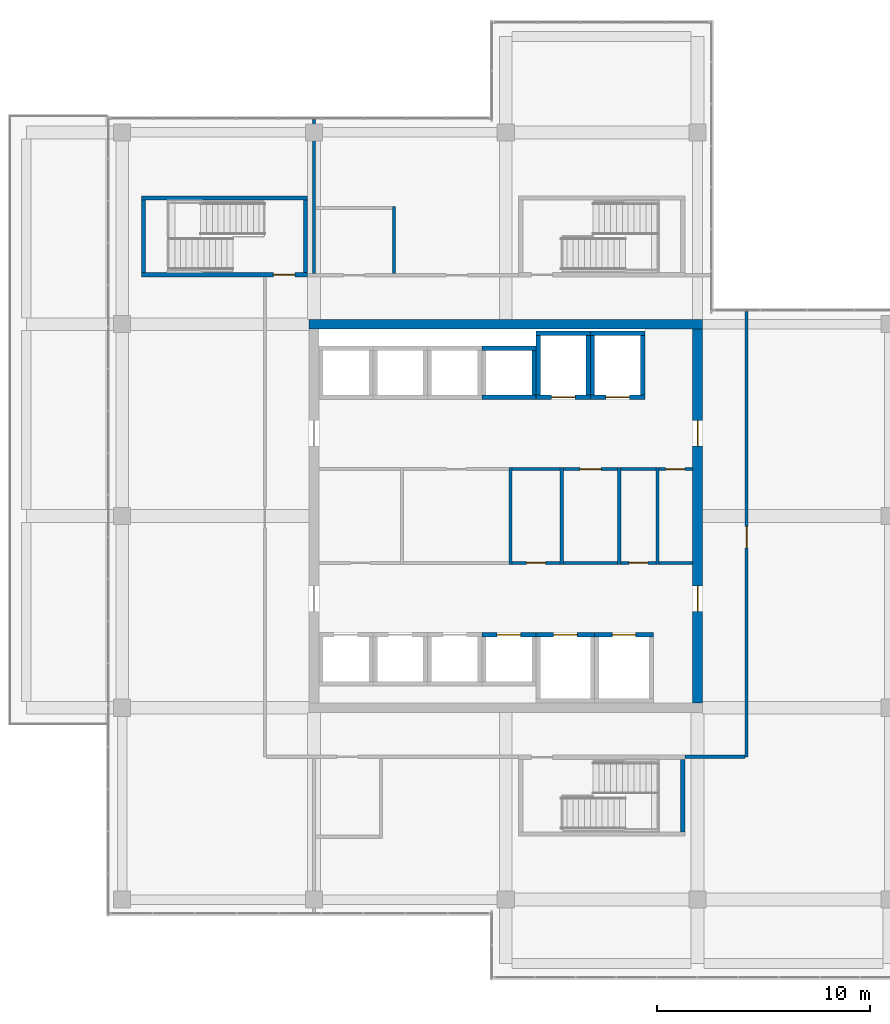
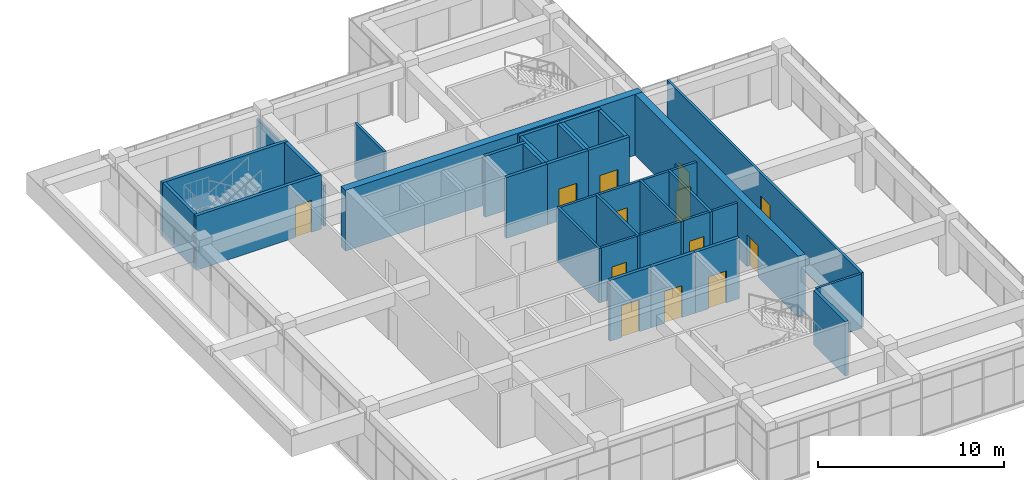
# One storey, part 48 of 52: 37 walls, 13 doors, 13 openings.
"""IFC4 building model written with IfcOpenShell, lengths in metres."""

from ifc_helpers import new_model, si_unit, direction, frame, frame_2d, origin, place, context, subcontext, project, spatial, rectangle, extrude, material, layer, layer_set, type_object, element, fill, save


model = new_model("IFC4")

# Units and contexts
model_context = context("Model", 3, precision=1e-05, world=origin(), true_north=direction((0.0, 1.0)))
body_context = subcontext(model_context, "Body", "Model", "MODEL_VIEW")
ifc_project = project(units=[si_unit("LENGTHUNIT", "METRE"), si_unit("AREAUNIT", "SQUARE_METRE"), si_unit("VOLUMEUNIT", "CUBIC_METRE"), si_unit("PLANEANGLEUNIT", "RADIAN"), si_unit("MASSUNIT", "GRAM", prefix="KILO")], contexts=[model_context])

# Site, building, storey
site_placement = place(None, origin())
site = spatial("IfcSite", under=ifc_project, at=site_placement, CompositionType="ELEMENT")
building_placement = place(site_placement, origin())
building = spatial("IfcBuilding", under=site, at=building_placement, Name="Tuart Plaza Theatre", CompositionType="ELEMENT")
storey_placement = place(building_placement, frame((0.0, 0.0, 25.5)))
storey = spatial("IfcBuildingStorey", under=building, at=storey_placement, Name="L06", CompositionType="ELEMENT", Elevation=25.5)

# Walls
ifc_material_1 = material(Name="Masonry block", Category="masonry")
ifc_layer_1 = layer(ifc_material_1, 0.14990234375)
ifc_layer_set_1 = layer_set([ifc_layer_1], Name="PARTITION BLK150 MASONRYB FRL -/120/120")
wall_type_1 = type_object("IfcWallType", Name="PARTITION BLK150 MASONRYB FRL -/120/120", PredefinedType="PARTITIONING", material=ifc_layer_set_1)
for number, where, z_axis, x_axis, name in (
    (1, (132.22509765625, 71.72509765625, 0.0), (0.0, 0.0, 1.0), (0.0, 1.0, 0.0), "P610"),
    (2, (134.625, 71.72509765625, 0.0), (0.0, 0.0, 1.0), (0.0, 1.0, 0.0), "P613"),
):
    element("IfcWall", number, at=place(storey_placement, frame(where, z_axis=z_axis, x_axis=x_axis)), inside=storey, type_object=wall_type_1, Name=name, PredefinedType="PARTITIONING", context=body_context, shape_type="SweptSolid", body=[
        extrude(rectangle(XDim=4.5498046875, YDim=0.14990234375, at=frame_2d((2.27490234375, 0.0))), origin(), (0.0, 0.0, 1.0), 3.580078125),
    ])

# Wall, opening, door
wall_1_placement = place(storey_placement, frame((132.300048828125, 71.800048828125, 0.0), z_axis=(0.0, 0.0, 1.0), x_axis=(1.0, 0.0, 0.0)))
wall_1 = element("IfcWall", 3, at=wall_1_placement, inside=storey, type_object=wall_type_1, Name="P614", PredefinedType="PARTITIONING", context=body_context, shape_type="SweptSolid", body=[
    extrude(rectangle(XDim=2.25, YDim=0.14990234375, at=frame_2d((1.125, 0.0))), origin(), (0.0, 0.0, 1.0), 3.580078125),
])
opening_1_placement = place(wall_1_placement, frame((0.675048828125, 0.0, 0.0)))
opening_1 = element("IfcOpeningElement", 4, at=opening_1_placement, cuts=wall_1, Name="Opening L06-020", PredefinedType="OPENING", context=body_context, shape_type="SweptSolid", body=[
    extrude(rectangle(XDim=0.89990234375, YDim=2.10009765625, at=frame_2d((0.449951171875, 1.050048828125))), frame((0.0, 0.0849609375, 0.0), z_axis=(0.0, -1.0, 0.0), x_axis=(1.0, 0.0, 0.0)), (0.0, 0.0, 1.0), 0.169921875),
])
ifc_material_2 = material(Name="Steel Grade 300", Category="steel")
door_type_1 = type_object("IfcDoorType", Name="DOOR 900x2100 steel single swing FRL -/120/30", OperationType="SINGLE_SWING_LEFT", PredefinedType="DOOR", material=ifc_material_2)
door_1_placement = place(opening_1_placement, origin())
door_1 = element("IfcDoor", 5, at=door_1_placement, inside=storey, type_object=door_type_1, Name="L06-020", OperationType="SINGLE_SWING_LEFT", OverallHeight=2.10009765625, OverallWidth=0.89990234375, PredefinedType="DOOR", context=body_context, shape_type="SweptSolid", body=[
    extrude(rectangle(XDim=0.89990234375, YDim=2.10009765625, at=frame_2d((0.449951171875, 1.050048828125))), frame((0.0, 0.02490234375, 0.0), z_axis=(0.0, -1.0, 0.0), x_axis=(1.0, 0.0, 0.0)), (0.0, 0.0, 1.0), 0.050048828125),
])
fill(opening_1, door_1)

# Walls
wall_2_placement = place(storey_placement, frame((132.300048828125, 76.199951171875, 0.0), z_axis=(0.0, 0.0, 1.0), x_axis=(1.0, 0.0, 0.0)))
element("IfcWall", 6, at=wall_2_placement, inside=storey, type_object=wall_type_1, Name="P615", PredefinedType="PARTITIONING", context=body_context, shape_type="SweptSolid", body=[
    extrude(rectangle(XDim=2.25, YDim=0.14990234375, at=frame_2d((1.125, 0.0))), origin(), (0.0, 0.0, 1.0), 3.580078125),
])
wall_3_placement = place(storey_placement, frame((137.324951171875, 71.72509765625, 0.0), z_axis=(0.0, 0.0, 1.0), x_axis=(0.0, 1.0, 0.0)))
element("IfcWall", 7, at=wall_3_placement, inside=storey, type_object=wall_type_1, Name="P616", PredefinedType="PARTITIONING", context=body_context, shape_type="SweptSolid", body=[
    extrude(rectangle(XDim=4.5498046875, YDim=0.14990234375, at=frame_2d((2.27490234375, 0.0))), origin(), (0.0, 0.0, 1.0), 3.580078125),
])
wall_4_placement = place(storey_placement, frame((134.699951171875, 71.800048828125, 0.0), z_axis=(0.0, 0.0, 1.0), x_axis=(1.0, 0.0, 0.0)))
element("IfcWall", 8, at=wall_4_placement, inside=storey, type_object=wall_type_1, Name="P617", PredefinedType="PARTITIONING", context=body_context, shape_type="SweptSolid", body=[
    extrude(rectangle(XDim=2.550048828125, YDim=0.14990234375, at=frame_2d((1.27490234375, 0.0))), origin(), (0.0, 0.0, 1.0), 3.580078125),
])

# Wall, opening, door
wall_5_placement = place(storey_placement, frame((134.699951171875, 76.199951171875, 0.0), z_axis=(0.0, 0.0, 1.0), x_axis=(1.0, 0.0, 0.0)))
wall_5 = element("IfcWall", 9, at=wall_5_placement, inside=storey, type_object=wall_type_1, Name="P618", PredefinedType="PARTITIONING", context=body_context, shape_type="SweptSolid", body=[
    extrude(rectangle(XDim=2.550048828125, YDim=0.14990234375, at=frame_2d((1.27490234375, 0.0))), origin(), (0.0, 0.0, 1.0), 3.580078125),
])
opening_2_placement = place(wall_5_placement, frame((0.77490234375, 0.0, 0.0)))
opening_2 = element("IfcOpeningElement", 10, at=opening_2_placement, cuts=wall_5, Name="Opening L06-021", PredefinedType="OPENING", context=body_context, shape_type="SweptSolid", body=[
    extrude(rectangle(XDim=1.0, YDim=2.10009765625, at=frame_2d((0.5, 1.050048828125))), frame((0.0, 0.0849609375, 0.0), z_axis=(0.0, -1.0, 0.0), x_axis=(1.0, 0.0, 0.0)), (0.0, 0.0, 1.0), 0.169921875),
])
ifc_material_3 = material(Name="Steel Grade 300", Category="steel")
door_type_2 = type_object("IfcDoorType", Name="DOOR 1000x2100 steel single swing FRL -/120/30", OperationType="SINGLE_SWING_LEFT", PredefinedType="DOOR", material=ifc_material_3)
door_2_placement = place(opening_2_placement, frame((1.0, 0.0, 0.0), z_axis=(0.0, 0.0, 1.0), x_axis=(-1.0, 0.0, 0.0)))
door_2 = element("IfcDoor", 11, at=door_2_placement, inside=storey, type_object=door_type_2, Name="L06-021", OperationType="SINGLE_SWING_LEFT", OverallHeight=2.10009765625, OverallWidth=1.0, PredefinedType="DOOR", context=body_context, shape_type="SweptSolid", body=[
    extrude(rectangle(XDim=1.0, YDim=2.10009765625, at=frame_2d((0.5, 1.050048828125))), frame((0.0, 0.02490234375, 0.0), z_axis=(0.0, -1.0, 0.0), x_axis=(1.0, 0.0, 0.0)), (0.0, 0.0, 1.0), 0.050048828125),
])
fill(opening_2, door_2)

# Wall
wall_6_placement = place(storey_placement, frame((139.125, 71.72509765625, 0.0), z_axis=(0.0, 0.0, 1.0), x_axis=(0.0, 1.0, 0.0)))
element("IfcWall", 12, at=wall_6_placement, inside=storey, type_object=wall_type_1, Name="P619", PredefinedType="PARTITIONING", context=body_context, shape_type="SweptSolid", body=[
    extrude(rectangle(XDim=4.5498046875, YDim=0.14990234375, at=frame_2d((2.27490234375, 0.0))), origin(), (0.0, 0.0, 1.0), 3.580078125),
])

# Wall, opening, door
wall_7_placement = place(storey_placement, frame((137.39990234375, 71.800048828125, 0.0), z_axis=(0.0, 0.0, 1.0), x_axis=(1.0, 0.0, 0.0)))
wall_7 = element("IfcWall", 13, at=wall_7_placement, inside=storey, type_object=wall_type_1, Name="P620", PredefinedType="PARTITIONING", context=body_context, shape_type="SweptSolid", body=[
    extrude(rectangle(XDim=1.650146484375, YDim=0.14990234375, at=frame_2d((0.8251953125, 0.0))), origin(), (0.0, 0.0, 1.0), 3.580078125),
])
opening_3_placement = place(wall_7_placement, frame((0.375, 0.0, 0.0)))
opening_3 = element("IfcOpeningElement", 14, at=opening_3_placement, cuts=wall_7, Name="Opening L06-022", PredefinedType="OPENING", context=body_context, shape_type="SweptSolid", body=[
    extrude(rectangle(XDim=0.89990234375, YDim=2.10009765625, at=frame_2d((0.449951171875, 1.050048828125))), frame((0.0, 0.0849609375, 0.0), z_axis=(0.0, -1.0, 0.0), x_axis=(1.0, 0.0, 0.0)), (0.0, 0.0, 1.0), 0.169921875),
])
door_3_placement = place(opening_3_placement, origin())
door_3 = element("IfcDoor", 15, at=door_3_placement, inside=storey, type_object=door_type_1, Name="L06-022", OperationType="SINGLE_SWING_LEFT", OverallHeight=2.10009765625, OverallWidth=0.89990234375, PredefinedType="DOOR", context=body_context, shape_type="SweptSolid", body=[
    extrude(rectangle(XDim=0.89990234375, YDim=2.10009765625, at=frame_2d((0.449951171875, 1.050048828125))), frame((0.0, 0.02490234375, 0.0), z_axis=(0.0, -1.0, 0.0), x_axis=(1.0, 0.0, 0.0)), (0.0, 0.0, 1.0), 0.050048828125),
])
fill(opening_3, door_3)

# Walls
wall_8_placement = place(storey_placement, frame((137.39990234375, 76.199951171875, 0.0), z_axis=(0.0, 0.0, 1.0), x_axis=(1.0, 0.0, 0.0)))
element("IfcWall", 16, at=wall_8_placement, inside=storey, type_object=wall_type_1, Name="P621", PredefinedType="PARTITIONING", context=body_context, shape_type="SweptSolid", body=[
    extrude(rectangle(XDim=1.650146484375, YDim=0.14990234375, at=frame_2d((0.8251953125, 0.0))), origin(), (0.0, 0.0, 1.0), 3.580078125),
])
wall_9_placement = place(storey_placement, frame((139.199951171875, 71.800048828125, 0.0), z_axis=(0.0, 0.0, 1.0), x_axis=(1.0, 0.0, 0.0)))
element("IfcWall", 17, at=wall_9_placement, inside=storey, type_object=wall_type_1, Name="P622", PredefinedType="PARTITIONING", context=body_context, shape_type="SweptSolid", body=[
    extrude(rectangle(XDim=1.574951171875, YDim=0.14990234375, at=frame_2d((0.78759765625, 0.0))), origin(), (0.0, 0.0, 1.0), 3.580078125),
])

# Wall, opening, door
wall_10_placement = place(storey_placement, frame((139.199951171875, 76.199951171875, 0.0), z_axis=(0.0, 0.0, 1.0), x_axis=(1.0, 0.0, 0.0)))
wall_10 = element("IfcWall", 18, at=wall_10_placement, inside=storey, type_object=wall_type_1, Name="P623", PredefinedType="PARTITIONING", context=body_context, shape_type="SweptSolid", body=[
    extrude(rectangle(XDim=1.574951171875, YDim=0.14990234375, at=frame_2d((0.78759765625, 0.0))), origin(), (0.0, 0.0, 1.0), 3.580078125),
])
opening_4_placement = place(wall_10_placement, frame((0.300048828125, 0.0, 0.0)))
opening_4 = element("IfcOpeningElement", 19, at=opening_4_placement, cuts=wall_10, Name="Opening L06-023", PredefinedType="OPENING", context=body_context, shape_type="SweptSolid", body=[
    extrude(rectangle(XDim=0.89990234375, YDim=2.10009765625, at=frame_2d((0.449951171875, 1.050048828125))), frame((0.0, 0.0849609375, 0.0), z_axis=(0.0, -1.0, 0.0), x_axis=(1.0, 0.0, 0.0)), (0.0, 0.0, 1.0), 0.169921875),
])
door_4_placement = place(opening_4_placement, frame((0.89990234375, 0.0, 0.0), z_axis=(0.0, 0.0, 1.0), x_axis=(-1.0, 0.0, 0.0)))
door_4 = element("IfcDoor", 20, at=door_4_placement, inside=storey, type_object=door_type_1, Name="L06-023", OperationType="SINGLE_SWING_LEFT", OverallHeight=2.10009765625, OverallWidth=0.89990234375, PredefinedType="DOOR", context=body_context, shape_type="SweptSolid", body=[
    extrude(rectangle(XDim=0.89990234375, YDim=2.10009765625, at=frame_2d((0.449951171875, 1.050048828125))), frame((0.0, 0.02490234375, 0.0), z_axis=(0.0, -1.0, 0.0), x_axis=(1.0, 0.0, 0.0)), (0.0, 0.0, 1.0), 0.050048828125),
])
fill(opening_4, door_4)

# Wall
ifc_material_4 = material(Name="Masonry block", Category="masonry")
ifc_layer_2 = layer(ifc_material_4, 0.14990234375)
ifc_layer_set_2 = layer_set([ifc_layer_2], Name="PARTITION BLK150 MASONRYB FRL 120/-/-")
wall_type_2 = type_object("IfcWallType", Name="PARTITION BLK150 MASONRYB FRL 120/-/-", PredefinedType="PARTITIONING", material=ifc_layer_set_2)
wall_11_placement = place(storey_placement, frame((143.22509765625, 62.699951171875, 0.0), z_axis=(0.0, 0.0, 1.0), x_axis=(-1.0, 0.0, 0.0)))
element("IfcWall", 21, at=wall_11_placement, inside=storey, type_object=wall_type_2, Name="P626", PredefinedType="PARTITIONING", context=body_context, shape_type="SweptSolid", body=[
    extrude(rectangle(XDim=2.8251953125, YDim=0.14990234375, at=frame_2d((1.41259765625, 0.0))), origin(), (0.0, 0.0, 1.0), 3.580078125),
])

# Wall, opening, door
wall_12_placement = place(storey_placement, frame((143.300048828125, 83.60009765625, 0.0), z_axis=(0.0, 0.0, 1.0), x_axis=(0.0, -1.0, 0.0)))
wall_12 = element("IfcWall", 22, at=wall_12_placement, inside=storey, type_object=wall_type_2, Name="P627", PredefinedType="PARTITIONING", context=body_context, shape_type="SweptSolid", body=[
    extrude(rectangle(XDim=20.900146484375, YDim=0.14990234375, at=frame_2d((10.4501953125, 0.0))), origin(), (0.0, 0.0, 1.0), 3.580078125),
])
opening_5_placement = place(wall_12_placement, frame((10.10009765625, 0.0, 0.0)))
opening_5 = element("IfcOpeningElement", 23, at=opening_5_placement, cuts=wall_12, Name="Opening L06-026", PredefinedType="OPENING", context=body_context, shape_type="SweptSolid", body=[
    extrude(rectangle(XDim=1.0, YDim=2.10009765625, at=frame_2d((0.5, 1.050048828125))), frame((0.0, 0.0849609375, 0.0), z_axis=(0.0, -1.0, 0.0), x_axis=(1.0, 0.0, 0.0)), (0.0, 0.0, 1.0), 0.169921875),
])
ifc_material_5 = material(Name="Timber", Category="wood")
door_type_3 = type_object("IfcDoorType", Name="DOOR 1000x2100 timber single swing FRL -/60/30", OperationType="SINGLE_SWING_LEFT", PredefinedType="DOOR", material=ifc_material_5)
door_5_placement = place(opening_5_placement, origin())
door_5 = element("IfcDoor", 24, at=door_5_placement, inside=storey, type_object=door_type_3, Name="L06-026", OperationType="SINGLE_SWING_LEFT", OverallHeight=2.10009765625, OverallWidth=1.0, PredefinedType="DOOR", context=body_context, shape_type="SweptSolid", body=[
    extrude(rectangle(XDim=1.0, YDim=2.10009765625, at=frame_2d((0.5, 1.050048828125))), frame((0.0, 0.02490234375, 0.0), z_axis=(0.0, -1.0, 0.0), x_axis=(1.0, 0.0, 0.0)), (0.0, 0.0, 1.0), 0.050048828125),
])
fill(opening_5, door_5)

# Walls
wall_13_placement = place(storey_placement, frame((123.0, 85.3740234375, 0.0), z_axis=(0.0, 0.0, 1.0), x_axis=(0.0, 1.0, 0.0)))
element("IfcWall", 25, at=wall_13_placement, inside=storey, type_object=wall_type_2, Name="P631", PredefinedType="PARTITIONING", context=body_context, shape_type="SweptSolid", body=[
    extrude(rectangle(XDim=7.22607421875, YDim=0.14990234375, at=frame_2d((3.613037109375, 0.0))), origin(), (0.0, 0.0, 1.0), 2.679931640625),
])
wall_14_placement = place(storey_placement, frame((126.75, 85.375, 0.0), z_axis=(0.0, 0.0, 1.0), x_axis=(0.0, 1.0, 0.0)))
element("IfcWall", 26, at=wall_14_placement, inside=storey, type_object=wall_type_2, Name="P635", PredefinedType="PARTITIONING", context=body_context, shape_type="SweptSolid", body=[
    extrude(rectangle(XDim=3.14990234375, YDim=0.14990234375, at=frame_2d((1.574951171875, 0.0))), origin(), (0.0, 0.0, 1.0), 3.580078125),
])

# Wall, opening, door
ifc_material_6 = material(Name="Concrete N40 (40 MPa)", Category="concrete")
ifc_layer_3 = layer(ifc_material_6, 0.199951171875)
ifc_layer_set_3 = layer_set([ifc_layer_3], Name="SHEAR WALL RC200 FRL 120/120/120")
wall_type_3 = type_object("IfcWallType", Name="SHEAR WALL RC200 FRL 120/120/120", PredefinedType="SHEAR", material=ifc_layer_set_3)
wall_15_placement = place(storey_placement, frame((133.425048828125, 68.425048828125, 0.0), z_axis=(0.0, 0.0, 1.0), x_axis=(-1.0, 0.0, 0.0)))
wall_15 = element("IfcWall", 27, at=wall_15_placement, inside=storey, type_object=wall_type_3, Name="W708", PredefinedType="SHEAR", context=body_context, shape_type="SweptSolid", body=[
    extrude(rectangle(XDim=2.550048828125, YDim=0.199951171875, at=frame_2d((1.27490234375, 0.0))), origin(), (0.0, 0.0, 1.0), 4.0),
])
opening_6_placement = place(wall_15_placement, frame((0.72509765625, 0.0, 0.0)))
opening_6 = element("IfcOpeningElement", 28, at=opening_6_placement, cuts=wall_15, Name="Opening L06-006", PredefinedType="OPENING", context=body_context, shape_type="SweptSolid", body=[
    extrude(rectangle(XDim=1.10009765625, YDim=2.10009765625, at=frame_2d((0.550048828125, 1.050048828125))), frame((0.0, 0.10986328125, 0.0), z_axis=(0.0, -1.0, 0.0), x_axis=(1.0, 0.0, 0.0)), (0.0, 0.0, 1.0), 0.219970703125),
])
ifc_material_7 = material(Name="Steel Grade 300", Category="steel")
door_type_4 = type_object("IfcDoorType", Name="LANDING DOOR 1100x2100 steel sliding FRL -/120/30", OperationType="SLIDING_TO_LEFT", PredefinedType="DOOR", material=ifc_material_7)
door_6_placement = place(opening_6_placement, origin())
door_6 = element("IfcDoor", 29, at=door_6_placement, inside=storey, type_object=door_type_4, Name="L06-006", OperationType="SLIDING_TO_LEFT", OverallHeight=2.10009765625, OverallWidth=1.10009765625, PredefinedType="DOOR", context=body_context, shape_type="SweptSolid", body=[
    extrude(rectangle(XDim=1.10009765625, YDim=2.10009765625, at=frame_2d((0.550048828125, 1.050048828125))), frame((0.0, 0.02490234375, 0.0), z_axis=(0.0, -1.0, 0.0), x_axis=(1.0, 0.0, 0.0)), (0.0, 0.0, 1.0), 0.050048828125),
])
fill(opening_6, door_6)

# Walls
wall_16_placement = place(storey_placement, frame((130.875, 79.574951171875, 0.0), z_axis=(0.0, 0.0, 1.0), x_axis=(1.0, 0.0, 0.0)))
element("IfcWall", 30, at=wall_16_placement, inside=storey, type_object=wall_type_3, Name="W966", PredefinedType="SHEAR", context=body_context, shape_type="SweptSolid", body=[
    extrude(rectangle(XDim=2.550048828125, YDim=0.199951171875, at=frame_2d((1.27490234375, 0.0))), origin(), (0.0, 0.0, 1.0), 4.0),
])
wall_17_placement = place(storey_placement, frame((133.324951171875, 79.675048828125, 0.0), z_axis=(0.0, 0.0, 1.0), x_axis=(0.0, 1.0, 0.0)))
element("IfcWall", 31, at=wall_17_placement, inside=storey, type_object=wall_type_3, Name="W967", PredefinedType="SHEAR", context=body_context, shape_type="SweptSolid", body=[
    extrude(rectangle(XDim=2.099853515625, YDim=0.199951171875, at=frame_2d((1.0498046875, 0.0))), origin(), (0.0, 0.0, 1.0), 4.0),
])
wall_18_placement = place(storey_placement, frame((133.425048828125, 81.875, 0.0), z_axis=(0.0, 0.0, 1.0), x_axis=(-1.0, 0.0, 0.0)))
element("IfcWall", 32, at=wall_18_placement, inside=storey, type_object=wall_type_3, Name="W968", PredefinedType="SHEAR", context=body_context, shape_type="SweptSolid", body=[
    extrude(rectangle(XDim=2.550048828125, YDim=0.199951171875, at=frame_2d((1.27490234375, 0.0))), origin(), (0.0, 0.0, 1.0), 4.0),
])

# Wall, opening, door
wall_19_placement = place(storey_placement, frame((136.175048828125, 68.425048828125, 0.0), z_axis=(0.0, 0.0, 1.0), x_axis=(-1.0, 0.0, 0.0)))
wall_19 = element("IfcWall", 33, at=wall_19_placement, inside=storey, type_object=wall_type_3, Name="W1040", PredefinedType="SHEAR", context=body_context, shape_type="SweptSolid", body=[
    extrude(rectangle(XDim=2.75, YDim=0.199951171875, at=frame_2d((1.375, 0.0))), origin(), (0.0, 0.0, 1.0), 4.0),
])
opening_7_placement = place(wall_19_placement, frame((0.824951171875, 0.0, 0.0)))
opening_7 = element("IfcOpeningElement", 34, at=opening_7_placement, cuts=wall_19, Name="Opening L06-007", PredefinedType="OPENING", context=body_context, shape_type="SweptSolid", body=[
    extrude(rectangle(XDim=1.10009765625, YDim=2.10009765625, at=frame_2d((0.550048828125, 1.050048828125))), frame((0.0, 0.10986328125, 0.0), z_axis=(0.0, -1.0, 0.0), x_axis=(1.0, 0.0, 0.0)), (0.0, 0.0, 1.0), 0.219970703125),
])
door_7_placement = place(opening_7_placement, origin())
door_7 = element("IfcDoor", 35, at=door_7_placement, inside=storey, type_object=door_type_4, Name="L06-007", OperationType="SLIDING_TO_LEFT", OverallHeight=2.10009765625, OverallWidth=1.10009765625, PredefinedType="DOOR", context=body_context, shape_type="SweptSolid", body=[
    extrude(rectangle(XDim=1.10009765625, YDim=2.10009765625, at=frame_2d((0.550048828125, 1.050048828125))), frame((0.0, 0.02490234375, 0.0), z_axis=(0.0, -1.0, 0.0), x_axis=(1.0, 0.0, 0.0)), (0.0, 0.0, 1.0), 0.050048828125),
])
fill(opening_7, door_7)

wall_20_placement = place(storey_placement, frame((138.925048828125, 68.425048828125, 0.0), z_axis=(0.0, 0.0, 1.0), x_axis=(-1.0, 0.0, 0.0)))
wall_20 = element("IfcWall", 36, at=wall_20_placement, inside=storey, type_object=wall_type_3, Name="W1116", PredefinedType="SHEAR", context=body_context, shape_type="SweptSolid", body=[
    extrude(rectangle(XDim=2.75, YDim=0.199951171875, at=frame_2d((1.375, 0.0))), origin(), (0.0, 0.0, 1.0), 4.0),
])
opening_8_placement = place(wall_20_placement, frame((0.824951171875, 0.0, 0.0)))
opening_8 = element("IfcOpeningElement", 37, at=opening_8_placement, cuts=wall_20, Name="Opening L06-008", PredefinedType="OPENING", context=body_context, shape_type="SweptSolid", body=[
    extrude(rectangle(XDim=1.10009765625, YDim=2.10009765625, at=frame_2d((0.550048828125, 1.050048828125))), frame((0.0, 0.10986328125, 0.0), z_axis=(0.0, -1.0, 0.0), x_axis=(1.0, 0.0, 0.0)), (0.0, 0.0, 1.0), 0.219970703125),
])
door_8_placement = place(opening_8_placement, origin())
door_8 = element("IfcDoor", 38, at=door_8_placement, inside=storey, type_object=door_type_4, Name="L06-008", OperationType="SLIDING_TO_LEFT", OverallHeight=2.10009765625, OverallWidth=1.10009765625, PredefinedType="DOOR", context=body_context, shape_type="SweptSolid", body=[
    extrude(rectangle(XDim=1.10009765625, YDim=2.10009765625, at=frame_2d((0.550048828125, 1.050048828125))), frame((0.0, 0.02490234375, 0.0), z_axis=(0.0, -1.0, 0.0), x_axis=(1.0, 0.0, 0.0)), (0.0, 0.0, 1.0), 0.050048828125),
])
fill(opening_8, door_8)

wall_21_placement = place(storey_placement, frame((133.425048828125, 79.574951171875, 0.0), z_axis=(0.0, 0.0, 1.0), x_axis=(1.0, 0.0, 0.0)))
wall_21 = element("IfcWall", 39, at=wall_21_placement, inside=storey, type_object=wall_type_3, Name="W1190", PredefinedType="SHEAR", context=body_context, shape_type="SweptSolid", body=[
    extrude(rectangle(XDim=2.550048828125, YDim=0.199951171875, at=frame_2d((1.27490234375, 0.0))), origin(), (0.0, 0.0, 1.0), 4.0),
])
opening_9_placement = place(wall_21_placement, frame((0.72509765625, 0.0, 0.0)))
opening_9 = element("IfcOpeningElement", 40, at=opening_9_placement, cuts=wall_21, Name="Opening L06-009", PredefinedType="OPENING", context=body_context, shape_type="SweptSolid", body=[
    extrude(rectangle(XDim=1.10009765625, YDim=2.10009765625, at=frame_2d((0.550048828125, 1.050048828125))), frame((0.0, 0.10986328125, 0.0), z_axis=(0.0, -1.0, 0.0), x_axis=(1.0, 0.0, 0.0)), (0.0, 0.0, 1.0), 0.219970703125),
])
door_9_placement = place(opening_9_placement, origin())
door_9 = element("IfcDoor", 41, at=door_9_placement, inside=storey, type_object=door_type_4, Name="L06-009", OperationType="SLIDING_TO_LEFT", OverallHeight=2.10009765625, OverallWidth=1.10009765625, PredefinedType="DOOR", context=body_context, shape_type="SweptSolid", body=[
    extrude(rectangle(XDim=1.10009765625, YDim=2.10009765625, at=frame_2d((0.550048828125, 1.050048828125))), frame((0.0, 0.02490234375, 0.0), z_axis=(0.0, -1.0, 0.0), x_axis=(1.0, 0.0, 0.0)), (0.0, 0.0, 1.0), 0.050048828125),
])
fill(opening_9, door_9)

# Walls
wall_22_placement = place(storey_placement, frame((135.875, 79.675048828125, 0.0), z_axis=(0.0, 0.0, 1.0), x_axis=(0.0, 1.0, 0.0)))
element("IfcWall", 42, at=wall_22_placement, inside=storey, type_object=wall_type_3, Name="W1191", PredefinedType="SHEAR", context=body_context, shape_type="SweptSolid", body=[
    extrude(rectangle(XDim=2.800048828125, YDim=0.199951171875, at=frame_2d((1.39990234375, 0.0))), origin(), (0.0, 0.0, 1.0), 4.0),
])
wall_23_placement = place(storey_placement, frame((135.97509765625, 82.574951171875, 0.0), z_axis=(0.0, 0.0, 1.0), x_axis=(-1.0, 0.0, 0.0)))
element("IfcWall", 43, at=wall_23_placement, inside=storey, type_object=wall_type_3, Name="W1192", PredefinedType="SHEAR", context=body_context, shape_type="SweptSolid", body=[
    extrude(rectangle(XDim=2.550048828125, YDim=0.199951171875, at=frame_2d((1.27490234375, 0.0))), origin(), (0.0, 0.0, 1.0), 4.0),
])
wall_24_placement = place(storey_placement, frame((133.52490234375, 82.47509765625, 0.0), z_axis=(0.0, 0.0, 1.0), x_axis=(0.0, -1.0, 0.0)))
element("IfcWall", 44, at=wall_24_placement, inside=storey, type_object=wall_type_3, Name="W1193", PredefinedType="SHEAR", context=body_context, shape_type="SweptSolid", body=[
    extrude(rectangle(XDim=2.800048828125, YDim=0.199951171875, at=frame_2d((1.39990234375, 0.0))), origin(), (0.0, 0.0, 1.0), 4.0),
])

# Wall, opening, door
wall_25_placement = place(storey_placement, frame((135.97509765625, 79.574951171875, 0.0), z_axis=(0.0, 0.0, 1.0), x_axis=(1.0, 0.0, 0.0)))
wall_25 = element("IfcWall", 45, at=wall_25_placement, inside=storey, type_object=wall_type_3, Name="W1266", PredefinedType="SHEAR", context=body_context, shape_type="SweptSolid", body=[
    extrude(rectangle(XDim=2.5498046875, YDim=0.199951171875, at=frame_2d((1.27490234375, 0.0))), origin(), (0.0, 0.0, 1.0), 4.0),
])
opening_10_placement = place(wall_25_placement, frame((0.72509765625, 0.0, 0.0)))
opening_10 = element("IfcOpeningElement", 46, at=opening_10_placement, cuts=wall_25, Name="Opening L06-010", PredefinedType="OPENING", context=body_context, shape_type="SweptSolid", body=[
    extrude(rectangle(XDim=1.10009765625, YDim=2.10009765625, at=frame_2d((0.550048828125, 1.050048828125))), frame((0.0, 0.10986328125, 0.0), z_axis=(0.0, -1.0, 0.0), x_axis=(1.0, 0.0, 0.0)), (0.0, 0.0, 1.0), 0.219970703125),
])
door_10_placement = place(opening_10_placement, origin())
door_10 = element("IfcDoor", 47, at=door_10_placement, inside=storey, type_object=door_type_4, Name="L06-010", OperationType="SLIDING_TO_LEFT", OverallHeight=2.10009765625, OverallWidth=1.10009765625, PredefinedType="DOOR", context=body_context, shape_type="SweptSolid", body=[
    extrude(rectangle(XDim=1.10009765625, YDim=2.10009765625, at=frame_2d((0.550048828125, 1.050048828125))), frame((0.0, 0.02490234375, 0.0), z_axis=(0.0, -1.0, 0.0), x_axis=(1.0, 0.0, 0.0)), (0.0, 0.0, 1.0), 0.050048828125),
])
fill(opening_10, door_10)

# Walls
wall_26_placement = place(storey_placement, frame((138.425048828125, 79.675048828125, 0.0), z_axis=(0.0, 0.0, 1.0), x_axis=(0.0, 1.0, 0.0)))
element("IfcWall", 48, at=wall_26_placement, inside=storey, type_object=wall_type_3, Name="W1267", PredefinedType="SHEAR", context=body_context, shape_type="SweptSolid", body=[
    extrude(rectangle(XDim=2.800048828125, YDim=0.199951171875, at=frame_2d((1.39990234375, 0.0))), origin(), (0.0, 0.0, 1.0), 4.0),
])
wall_27_placement = place(storey_placement, frame((138.52490234375, 82.574951171875, 0.0), z_axis=(0.0, 0.0, 1.0), x_axis=(-1.0, 0.0, 0.0)))
element("IfcWall", 49, at=wall_27_placement, inside=storey, type_object=wall_type_3, Name="W1268", PredefinedType="SHEAR", context=body_context, shape_type="SweptSolid", body=[
    extrude(rectangle(XDim=2.5498046875, YDim=0.199951171875, at=frame_2d((1.27490234375, 0.0))), origin(), (0.0, 0.0, 1.0), 4.0),
])
wall_28_placement = place(storey_placement, frame((136.074951171875, 82.47509765625, 0.0), z_axis=(0.0, 0.0, 1.0), x_axis=(0.0, -1.0, 0.0)))
element("IfcWall", 50, at=wall_28_placement, inside=storey, type_object=wall_type_3, Name="W1269", PredefinedType="SHEAR", context=body_context, shape_type="SweptSolid", body=[
    extrude(rectangle(XDim=2.800048828125, YDim=0.199951171875, at=frame_2d((1.39990234375, 0.0))), origin(), (0.0, 0.0, 1.0), 4.0),
])
wall_29_placement = place(storey_placement, frame((140.300048828125, 59.175048828125, 0.0), z_axis=(0.0, 0.0, 1.0), x_axis=(0.0, 1.0, 0.0)))
element("IfcWall", 51, at=wall_29_placement, inside=storey, type_object=wall_type_3, Name="P401", PredefinedType="SHEAR", context=body_context, shape_type="SweptSolid", body=[
    extrude(rectangle(XDim=3.39990234375, YDim=0.199951171875, at=frame_2d((1.699951171875, 0.0))), origin(), (0.0, 0.0, 1.0), 3.580078125),
])

# Wall, opening, door
wall_30_placement = place(storey_placement, frame((114.89990234375, 85.324951171875, 0.0), z_axis=(0.0, 0.0, 1.0), x_axis=(1.0, 0.0, 0.0)))
wall_30 = element("IfcWall", 52, at=wall_30_placement, inside=storey, type_object=wall_type_3, Name="P456", PredefinedType="SHEAR", context=body_context, shape_type="SweptSolid", body=[
    extrude(rectangle(XDim=7.800048828125, YDim=0.199951171875, at=frame_2d((3.89990234375, 0.0))), origin(), (0.0, 0.0, 1.0), 3.580078125),
])
opening_11_placement = place(wall_30_placement, frame((6.199951171875, 0.0, 0.0)))
opening_11 = element("IfcOpeningElement", 53, at=opening_11_placement, cuts=wall_30, Name="Opening L06-013", PredefinedType="OPENING", context=body_context, shape_type="SweptSolid", body=[
    extrude(rectangle(XDim=1.0, YDim=2.10009765625, at=frame_2d((0.5, 1.050048828125))), frame((0.0, 0.10986328125, 0.0), z_axis=(0.0, -1.0, 0.0), x_axis=(1.0, 0.0, 0.0)), (0.0, 0.0, 1.0), 0.219970703125),
])
door_11_placement = place(opening_11_placement, origin())
door_11 = element("IfcDoor", 54, at=door_11_placement, inside=storey, type_object=door_type_2, Name="L06-013", OperationType="SINGLE_SWING_LEFT", OverallHeight=2.10009765625, OverallWidth=1.0, PredefinedType="DOOR", context=body_context, shape_type="SweptSolid", body=[
    extrude(rectangle(XDim=1.0, YDim=2.10009765625, at=frame_2d((0.5, 1.050048828125))), frame((0.0, 0.02490234375, 0.0), z_axis=(0.0, -1.0, 0.0), x_axis=(1.0, 0.0, 0.0)), (0.0, 0.0, 1.0), 0.050048828125),
])
fill(opening_11, door_11)

# Walls
wall_31_placement = place(storey_placement, frame((122.60009765625, 85.425048828125, 0.0), z_axis=(0.0, 0.0, 1.0), x_axis=(0.0, 1.0, 0.0)))
element("IfcWall", 55, at=wall_31_placement, inside=storey, type_object=wall_type_3, Name="P457", PredefinedType="SHEAR", context=body_context, shape_type="SweptSolid", body=[
    extrude(rectangle(XDim=3.39990234375, YDim=0.199951171875, at=frame_2d((1.699951171875, 0.0))), origin(), (0.0, 0.0, 1.0), 3.580078125),
])
wall_32_placement = place(storey_placement, frame((122.699951171875, 88.925048828125, 0.0), z_axis=(0.0, 0.0, 1.0), x_axis=(-1.0, 0.0, 0.0)))
element("IfcWall", 56, at=wall_32_placement, inside=storey, type_object=wall_type_3, Name="P458", PredefinedType="SHEAR", context=body_context, shape_type="SweptSolid", body=[
    extrude(rectangle(XDim=7.800048828125, YDim=0.199951171875, at=frame_2d((3.89990234375, 0.0))), origin(), (0.0, 0.0, 1.0), 3.580078125),
])
wall_33_placement = place(storey_placement, frame((115.0, 88.824951171875, 0.0), z_axis=(0.0, 0.0, 1.0), x_axis=(0.0, -1.0, 0.0)))
element("IfcWall", 57, at=wall_33_placement, inside=storey, type_object=wall_type_3, Name="P459", PredefinedType="SHEAR", context=body_context, shape_type="SweptSolid", body=[
    extrude(rectangle(XDim=3.39990234375, YDim=0.199951171875, at=frame_2d((1.699951171875, 0.0))), origin(), (0.0, 0.0, 1.0), 3.580078125),
])

# Wall, openings, doors
ifc_material_8 = material(Name="Concrete N50 (50 MPa)", Category="concrete")
ifc_layer_4 = layer(ifc_material_8, 0.449951171875)
ifc_layer_set_4 = layer_set([ifc_layer_4], Name="SHEAR WALL RC450 N50 FRL 120/120/120")
wall_type_4 = type_object("IfcWallType", Name="SHEAR WALL RC450 N50 FRL 120/120/120", PredefinedType="SHEAR", material=ifc_layer_set_4)
wall_34_placement = place(storey_placement, frame((141.0, 65.22509765625, 0.0), z_axis=(0.0, 0.0, 1.0), x_axis=(0.0, 1.0, 0.0)))
wall_34 = element("IfcWall", 58, at=wall_34_placement, inside=storey, type_object=wall_type_4, Name="W380", PredefinedType="SHEAR", context=body_context, shape_type="SweptSolid", body=[
    extrude(rectangle(XDim=17.5498046875, YDim=0.449951171875, at=frame_2d((8.77490234375, 0.0))), origin(), (0.0, 0.0, 1.0), 4.0),
])
opening_12_placement = place(wall_34_placement, frame((4.300048828125, 0.0, 0.0)))
opening_12 = element("IfcOpeningElement", 59, at=opening_12_placement, cuts=wall_34, Name="Opening L06-015", PredefinedType="OPENING", context=body_context, shape_type="SweptSolid", body=[
    extrude(rectangle(XDim=1.199951171875, YDim=2.10009765625, at=frame_2d((0.60009765625, 1.050048828125))), frame((0.0, 0.23486328125, 0.0), z_axis=(0.0, -1.0, 0.0), x_axis=(1.0, 0.0, 0.0)), (0.0, 0.0, 1.0), 0.469970703125),
])
opening_13_placement = place(wall_34_placement, frame((12.050048828125, 0.0, 0.0)))
opening_13 = element("IfcOpeningElement", 60, at=opening_13_placement, cuts=wall_34, Name="Opening L06-017", PredefinedType="OPENING", context=body_context, shape_type="SweptSolid", body=[
    extrude(rectangle(XDim=1.199951171875, YDim=2.10009765625, at=frame_2d((0.60009765625, 1.050048828125))), frame((0.0, 0.23486328125, 0.0), z_axis=(0.0, -1.0, 0.0), x_axis=(1.0, 0.0, 0.0)), (0.0, 0.0, 1.0), 0.469970703125),
])
ifc_material_9 = material(Name="Steel Grade 300", Category="steel")
door_type_5 = type_object("IfcDoorType", Name="DOOR 1200x2100 steel single swing FRL -/120/30", OperationType="SINGLE_SWING_LEFT", PredefinedType="DOOR", material=ifc_material_9)
door_12_placement = place(opening_12_placement, frame((1.199951171875, 0.0, 0.0), z_axis=(0.0, 0.0, 1.0), x_axis=(-1.0, 0.0, 0.0)))
door_12 = element("IfcDoor", 61, at=door_12_placement, inside=storey, type_object=door_type_5, Name="L06-015", OperationType="SINGLE_SWING_LEFT", OverallHeight=2.10009765625, OverallWidth=1.199951171875, PredefinedType="DOOR", context=body_context, shape_type="SweptSolid", body=[
    extrude(rectangle(XDim=1.199951171875, YDim=2.10009765625, at=frame_2d((0.60009765625, 1.050048828125))), frame((0.0, 0.02490234375, 0.0), z_axis=(0.0, -1.0, 0.0), x_axis=(1.0, 0.0, 0.0)), (0.0, 0.0, 1.0), 0.050048828125),
])
fill(opening_12, door_12)
door_13_placement = place(opening_13_placement, frame((1.199951171875, 0.0, 0.0), z_axis=(0.0, 0.0, 1.0), x_axis=(-1.0, 0.0, 0.0)))
door_13 = element("IfcDoor", 62, at=door_13_placement, inside=storey, type_object=door_type_5, Name="L06-017", OperationType="SINGLE_SWING_RIGHT", OverallHeight=2.10009765625, OverallWidth=1.199951171875, PredefinedType="DOOR", context=body_context, shape_type="SweptSolid", body=[
    extrude(rectangle(XDim=1.199951171875, YDim=2.10009765625, at=frame_2d((0.60009765625, 1.050048828125))), frame((0.0, 0.02490234375, 0.0), z_axis=(0.0, -1.0, 0.0), x_axis=(1.0, 0.0, 0.0)), (0.0, 0.0, 1.0), 0.050048828125),
])
fill(opening_13, door_13)

# Wall
wall_35_placement = place(storey_placement, frame((141.22509765625, 83.0, 0.0), z_axis=(0.0, 0.0, 1.0), x_axis=(-1.0, 0.0, 0.0)))
element("IfcWall", 63, at=wall_35_placement, inside=storey, type_object=wall_type_4, Name="W381", PredefinedType="SHEAR", context=body_context, shape_type="SweptSolid", body=[
    extrude(rectangle(XDim=18.4501953125, YDim=0.449951171875, at=frame_2d((9.22509765625, 0.0))), origin(), (0.0, 0.0, 1.0), 4.0),
])

save(model, "model.ifc")
